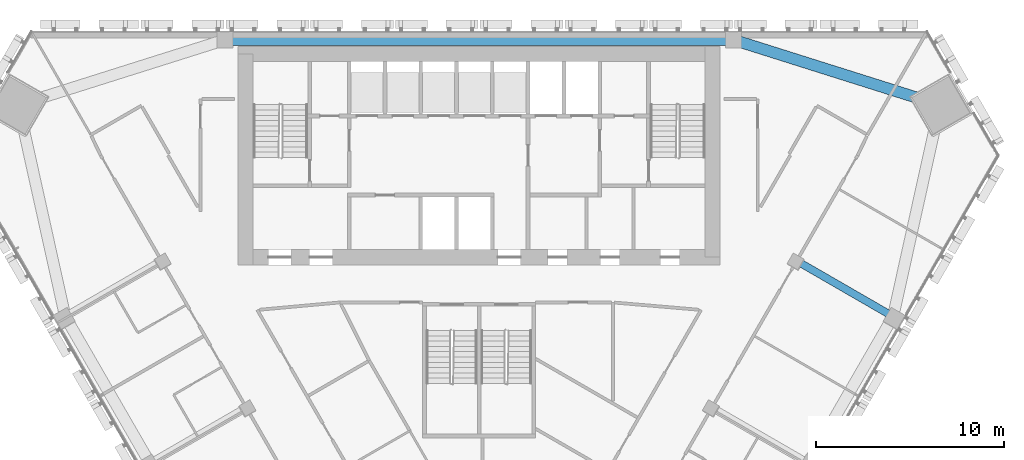
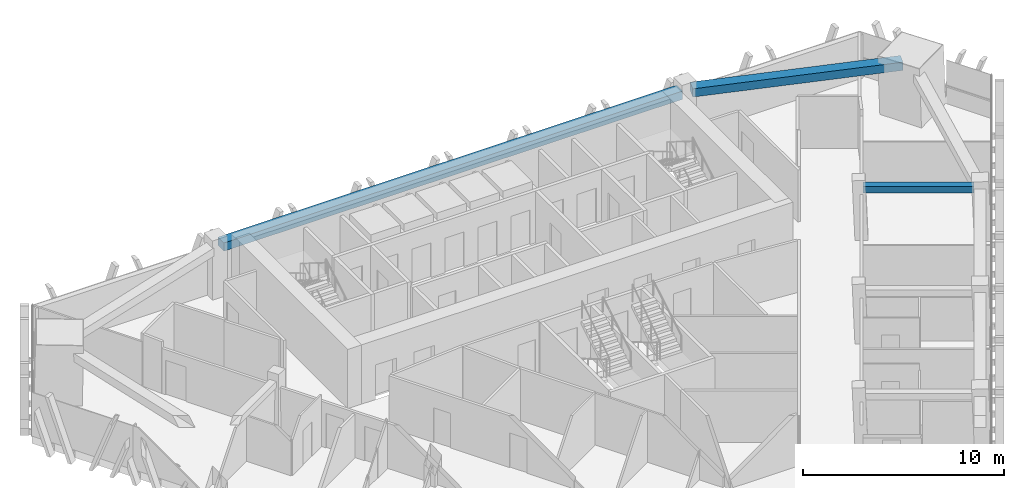
# One storey, part 6 of 16: 3 beams.
"""IFC4 building model written with IfcOpenShell, lengths in metres."""

from ifc_helpers import new_model, si_unit, direction, frame, origin, origin_2d, place, context, subcontext, project, spatial, rectangle, extrude, material, material_profile, profile_set, type_object, element, save


model = new_model("IFC4")

# Units and contexts
model_context = context("Model", 3, precision=1e-05, world=origin(), true_north=direction((0.0, 1.0)))
body_context = subcontext(model_context, "Body", "Model", "MODEL_VIEW")
ifc_project = project(units=[si_unit("LENGTHUNIT", "METRE"), si_unit("AREAUNIT", "SQUARE_METRE"), si_unit("VOLUMEUNIT", "CUBIC_METRE"), si_unit("PLANEANGLEUNIT", "RADIAN"), si_unit("MASSUNIT", "GRAM", prefix="KILO")], contexts=[model_context])

# Site, building, storey
site_placement = place(None, origin())
site = spatial("IfcSite", under=ifc_project, at=site_placement, CompositionType="ELEMENT")
building_placement = place(site_placement, origin())
building = spatial("IfcBuilding", under=site, at=building_placement, Name="Altiplano Prism Tower", CompositionType="ELEMENT")
storey_placement = place(building_placement, frame((0.0, 0.0, 138.60009765625)))
storey = spatial("IfcBuildingStorey", under=building, at=storey_placement, Name="L35", CompositionType="ELEMENT", Elevation=138.60009765625)

# Beams
ifc_material = material(Name="Concrete C60/75", Category="concrete")
ifc_material_profile_1 = material_profile(ifc_material, rectangle(XDim=0.60009765625, YDim=0.5, at=origin_2d()), Name="Edge beam 600x500")
ifc_profile_set_1 = profile_set([ifc_material_profile_1], Name="Concrete C60/75")
beam_type_1 = type_object("IfcBeamType", Name="Edge beam 600x500", PredefinedType="SPANDREL", material=ifc_profile_set_1)
beam_1_placement = place(storey_placement, frame((109.046142578125, 101.221923828125, 2.89990234375), z_axis=(-0.953644524487, 0.300935409874, 0.0), x_axis=(-0.300935409874, -0.953644524487, 0.0)))
element("IfcBeam", 1, at=beam_1_placement, inside=storey, type_object=beam_type_1, Name="Edge beam M2-P01 L36", PredefinedType="SPANDREL", context=body_context, shape_type="SweptSolid", body=[
    extrude(rectangle(XDim=0.60009765625, YDim=0.5, at=origin_2d()), origin(), (0.0, 0.0, 1.0), 10.733154296875),
])
beam_2_placement = place(storey_placement, frame((98.195068359375, 104.550048828125, 2.89990234375), z_axis=(-1.0, 0.0, 0.0), x_axis=(0.0, -1.0, 0.0)))
element("IfcBeam", 2, at=beam_2_placement, inside=storey, type_object=beam_type_1, Name="Edge beam P01-P04 L36", PredefinedType="SPANDREL", context=body_context, shape_type="SweptSolid", body=[
    extrude(rectangle(XDim=0.60009765625, YDim=0.5, at=origin_2d()), origin(), (0.0, 0.0, 1.0), 26.39013671875),
])
ifc_material_profile_2 = material_profile(ifc_material, rectangle(XDim=0.39990234375, YDim=0.39990234375, at=origin_2d()), Name="Tie beam 400x400")
ifc_profile_set_2 = profile_set([ifc_material_profile_2], Name="Concrete C60/75")
beam_type_2 = type_object("IfcBeamType", Name="Tie beam 400x400", PredefinedType="BEAM", material=ifc_profile_set_2)
beam_3_placement = place(storey_placement, frame((101.92529296875, 92.772216796875, 2.949951171875), z_axis=(0.866016055733, -0.50001619095, 0.0), x_axis=(0.50001619095, 0.866016055733, 0.0)))
element("IfcBeam", 3, at=beam_3_placement, inside=storey, type_object=beam_type_2, Name="Tie beam I24 L36", PredefinedType="BEAM", context=body_context, shape_type="SweptSolid", body=[
    extrude(rectangle(XDim=0.39990234375, YDim=0.39990234375, at=origin_2d()), origin(), (0.0, 0.0, 1.0), 5.539794921875),
])

save(model, "model.ifc")
